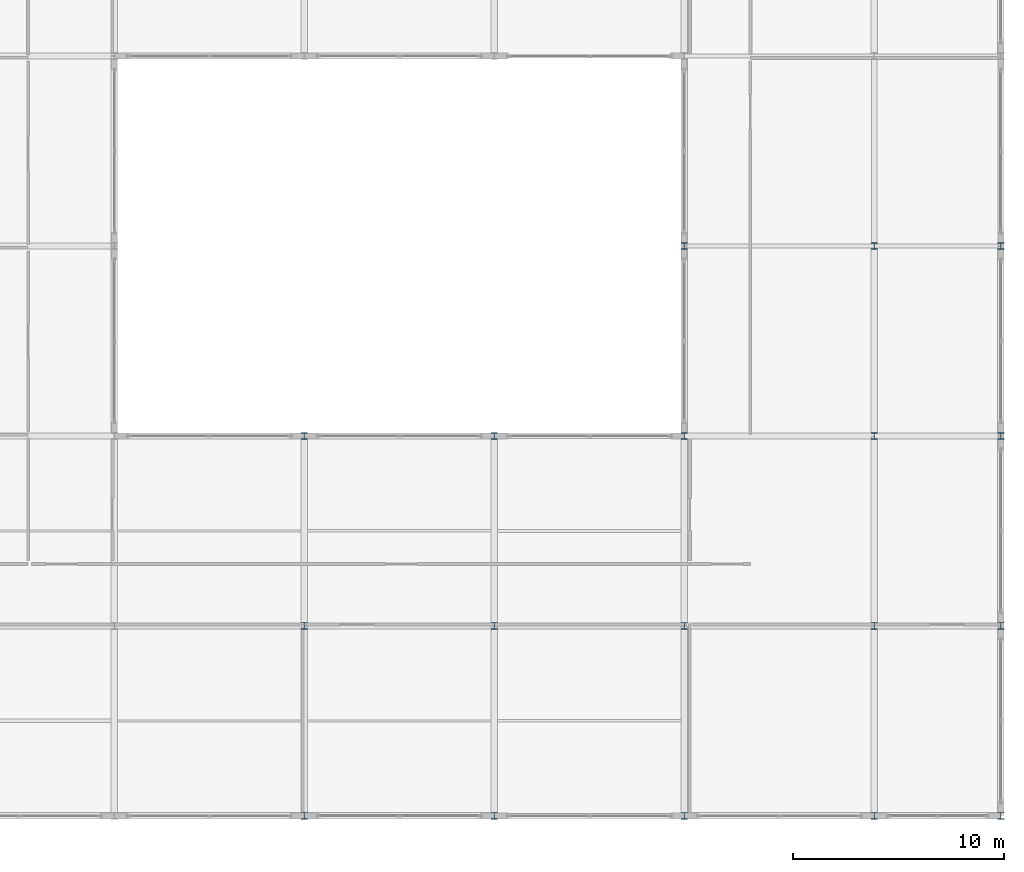
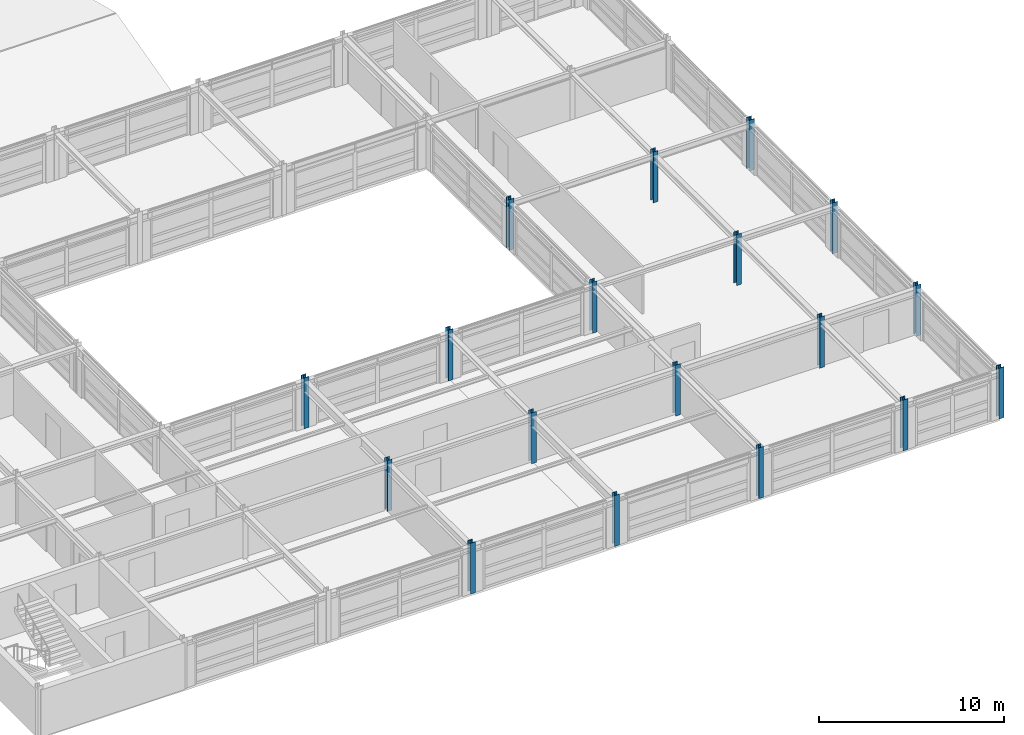
# One storey, part 12 of 91: 18 columns.
"""IFC4 building model written with IfcOpenShell, lengths in metres."""

from ifc_helpers import new_model, si_unit, direction, frame, origin, origin_2d, place, context, subcontext, project, spatial, i_section, extrude, material, material_profile, profile_set, type_object, element, save


model = new_model("IFC4")

# Units and contexts
model_context = context("Model", 3, precision=1e-05, world=origin(), true_north=direction((0.0, 1.0)))
body_context = subcontext(model_context, "Body", "Model", "MODEL_VIEW")
ifc_project = project(units=[si_unit("LENGTHUNIT", "METRE"), si_unit("AREAUNIT", "SQUARE_METRE"), si_unit("VOLUMEUNIT", "CUBIC_METRE"), si_unit("PLANEANGLEUNIT", "RADIAN"), si_unit("MASSUNIT", "GRAM", prefix="KILO")], contexts=[model_context])

# Site, building, storey
site_placement = place(None, origin())
site = spatial("IfcSite", under=ifc_project, at=site_placement, CompositionType="ELEMENT")
building_placement = place(site_placement, origin())
building = spatial("IfcBuilding", under=site, at=building_placement, Name="Palais des Congres Ocreval", CompositionType="ELEMENT")
storey_placement = place(building_placement, frame((0.0, 0.0, 8.159912109375)))
storey = spatial("IfcBuildingStorey", under=building, at=storey_placement, Name="L02", CompositionType="ELEMENT", Elevation=8.159912109375)

# Columns
ifc_material = material(Name="Steel S355", Category="steel")
ifc_material_profile = material_profile(ifc_material, i_section(OverallWidth=0.300048828125, OverallDepth=0.320068359375, WebThickness=0.011474609375, FlangeThickness=0.0205078125, at=origin_2d()), Name="HEB 320")
ifc_profile_set = profile_set([ifc_material_profile], Name="Steel S355")
column_type = type_object("IfcColumnType", Name="Column HEB 320 Steel S355", PredefinedType="COLUMN", material=ifc_profile_set)
for number, where, z_axis, x_axis, name in (
    (1, (135.0, 0.0, 0.0), (0.0, 0.0, 1.0), (1.0, 0.0, 0.0), "Column C12 L02"),
    (2, (135.0, 9.0, 0.0), (0.0, 0.0, 1.0), (1.0, 0.0, 0.0), "Column C12 L02"),
    (3, (135.0, 18.0, 0.0), (0.0, 0.0, 1.0), (1.0, 0.0, 0.0), "Column C12 L02"),
    (4, (144.0, 0.0, 0.0), (0.0, 0.0, 1.0), (1.0, 0.0, 0.0), "Column C12 L02"),
    (5, (144.0, 9.0, 0.0), (0.0, 0.0, 1.0), (1.0, 0.0, 0.0), "Column C12 L02"),
    (6, (144.0, 18.0, 0.0), (0.0, 0.0, 1.0), (1.0, 0.0, 0.0), "Column C12 L02"),
    (7, (153.0, 0.0, 0.0), (0.0, 0.0, 1.0), (1.0, 0.0, 0.0), "Column C12 L02"),
    (8, (153.0, 9.0, 0.0), (0.0, 0.0, 1.0), (1.0, 0.0, 0.0), "Column C12 L02"),
    (9, (153.0, 18.0, 0.0), (0.0, 0.0, 1.0), (1.0, 0.0, 0.0), "Column C12 L02"),
    (10, (153.0, 27.0, 0.0), (0.0, 0.0, 1.0), (1.0, 0.0, 0.0), "Column C12 L02"),
    (11, (162.0, 0.0, 0.0), (0.0, 0.0, 1.0), (1.0, 0.0, 0.0), "Column C12 L02"),
    (12, (162.0, 9.0, 0.0), (0.0, 0.0, 1.0), (1.0, 0.0, 0.0), "Column C12 L02"),
    (13, (162.0, 18.0, 0.0), (0.0, 0.0, 1.0), (1.0, 0.0, 0.0), "Column C12 L02"),
    (14, (162.0, 27.0, 0.0), (0.0, 0.0, 1.0), (1.0, 0.0, 0.0), "Column C12 L02"),
    (15, (168.0, 0.0, 0.0), (0.0, 0.0, 1.0), (1.0, 0.0, 0.0), "Column C12 L02"),
    (16, (168.0, 9.0, 0.0), (0.0, 0.0, 1.0), (1.0, 0.0, 0.0), "Column C12 L02"),
    (17, (168.0, 18.0, 0.0), (0.0, 0.0, 1.0), (1.0, 0.0, 0.0), "Column C12 L02"),
    (18, (168.0, 27.0, 0.0), (0.0, 0.0, 1.0), (1.0, 0.0, 0.0), "Column C12 L02"),
):
    element("IfcColumn", number, at=place(storey_placement, frame(where, z_axis=z_axis, x_axis=x_axis)), inside=storey, type_object=column_type, Name=name, PredefinedType="COLUMN", context=body_context, shape_type="SweptSolid", body=[
        extrude(i_section(OverallWidth=0.300048828125, OverallDepth=0.320068359375, WebThickness=0.011474609375, FlangeThickness=0.0205078125, at=origin_2d()), origin(), (0.0, 0.0, 1.0), 3.360107421875),
    ])

save(model, "model.ifc")
